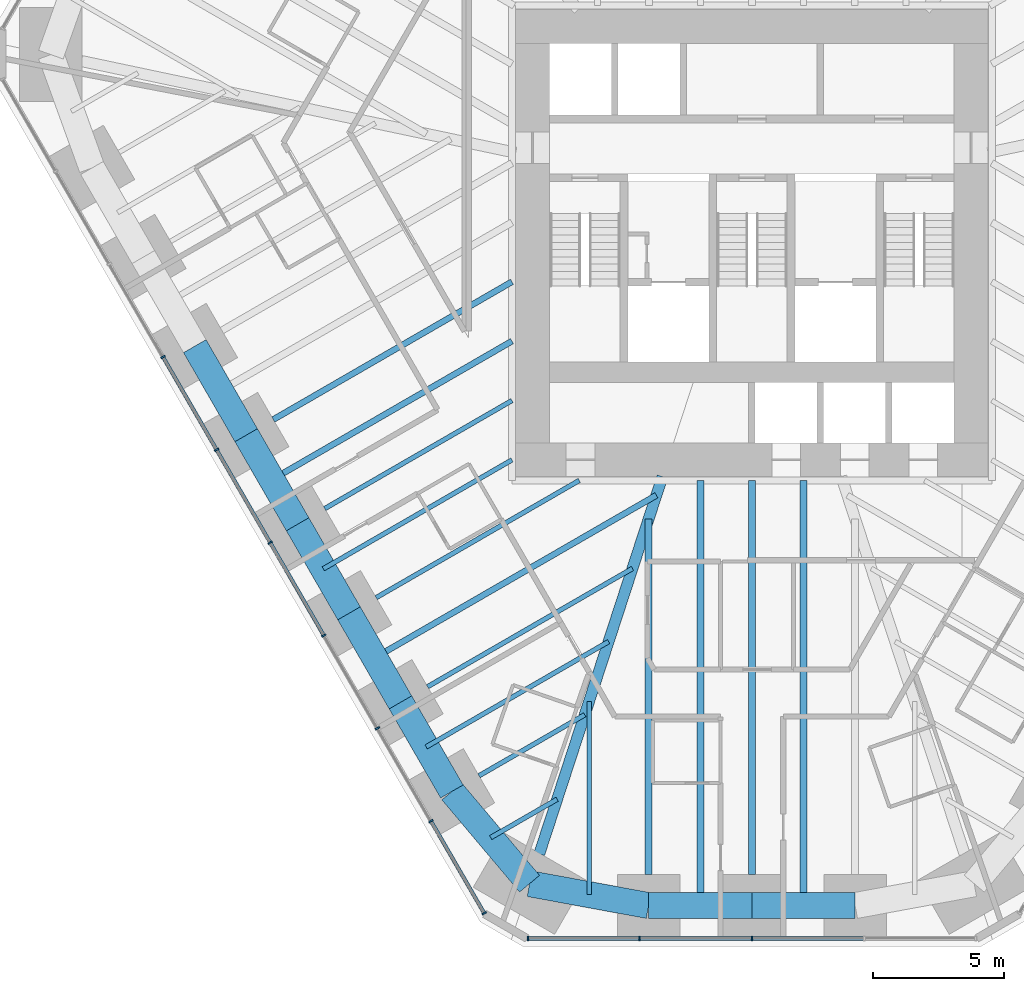
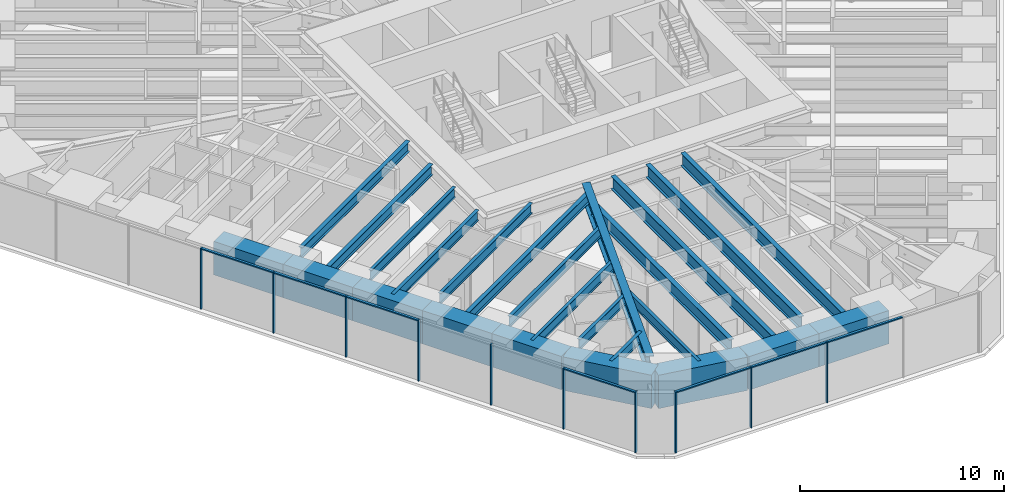
# One storey, part 2 of 17: 25 beams, 17 members, 2 elements without a shape of their own.
"""IFC4 building model written with IfcOpenShell, lengths in metres."""

from ifc_helpers import new_model, si_unit, direction, frame, origin, origin_2d, place, context, subcontext, project, spatial, rectangle, i_section, extrude, material, material_profile, profile_set, type_object, element, aggregate, save


model = new_model("IFC4")

# Units and contexts
model_context = context("Model", 3, precision=1e-05, world=origin(), true_north=direction((0.0, 1.0)))
body_context = subcontext(model_context, "Body", "Model", "MODEL_VIEW")
ifc_project = project(units=[si_unit("LENGTHUNIT", "METRE"), si_unit("AREAUNIT", "SQUARE_METRE"), si_unit("VOLUMEUNIT", "CUBIC_METRE"), si_unit("PLANEANGLEUNIT", "RADIAN"), si_unit("MASSUNIT", "GRAM", prefix="KILO")], contexts=[model_context])

# Site, building, storey
site_placement = place(None, origin())
site = spatial("IfcSite", under=ifc_project, at=site_placement, CompositionType="ELEMENT")
building_placement = place(site_placement, origin())
building = spatial("IfcBuilding", under=site, at=building_placement, Name="Sandreach Pilgrim Tower", CompositionType="ELEMENT")
storey_placement = place(building_placement, frame((0.0, 0.0, 100.60009765625)))
storey = spatial("IfcBuildingStorey", under=building, at=storey_placement, Name="L24", CompositionType="ELEMENT", Elevation=100.60009765625)

# Curtain wall, members
ifc_material_1 = material(Name="Aluminium framed curtain wall", Category="aluminium")
curtain_wall_type = type_object("IfcCurtainWallType", Name="Hotel tower curtain wall", PredefinedType="NOTDEFINED", material=ifc_material_1)
curtain_wall_1_placement = place(storey_placement, origin())
curtain_wall_1 = element("IfcCurtainWall", 1, at=curtain_wall_1_placement, inside=storey, type_object=curtain_wall_type, Name="CW-2 L24 S", PredefinedType="NOTDEFINED")
ifc_material_2 = material(Name="Aluminium extrusion", Category="aluminium")
ifc_material_profile_1 = material_profile(ifc_material_2, rectangle(XDim=0.06494140625, YDim=0.179931640625, at=origin_2d()), Name="CW-2M 65X180")
ifc_profile_set_1 = profile_set([ifc_material_profile_1], Name="Aluminium extrusion")
member_type_1 = type_object("IfcMemberType", Name="CW-2 mullion", PredefinedType="MULLION", material=ifc_profile_set_1)
member_1_placement = place(storey_placement, frame((0.0, -28.192138671875, 0.0), z_axis=(0.0, 0.0, 1.0), x_axis=(-1.0, 0.0, 0.0)))
member_1 = element("IfcMember", 2, at=member_1_placement, type_object=member_type_1, Name="CW-2 mullion 3", PredefinedType="MULLION", context=body_context, shape_type="SweptSolid", body=[
    extrude(rectangle(XDim=0.06494140625, YDim=0.179931640625, at=origin_2d()), origin(), (0.0, 0.0, 1.0), 3.639892578125),
])
member_2_placement = place(storey_placement, frame((-4.3056640625, -28.192138671875, 0.0), z_axis=(0.0, 0.0, 1.0), x_axis=(-1.0, 0.0, 0.0)))
member_2 = element("IfcMember", 3, at=member_2_placement, type_object=member_type_1, Name="CW-2 mullion 4", PredefinedType="MULLION", context=body_context, shape_type="SweptSolid", body=[
    extrude(rectangle(XDim=0.06494140625, YDim=0.179931640625, at=origin_2d()), origin(), (0.0, 0.0, 1.0), 3.639892578125),
])
member_3_placement = place(storey_placement, frame((-8.578857421875, -28.192138671875, 0.0), z_axis=(0.0, 0.0, 1.0), x_axis=(-1.0, 0.0, 0.0)))
member_3 = element("IfcMember", 4, at=member_3_placement, type_object=member_type_1, Name="CW-2 mullion 5", PredefinedType="MULLION", context=body_context, shape_type="SweptSolid", body=[
    extrude(rectangle(XDim=0.06494140625, YDim=0.179931640625, at=origin_2d()), origin(), (0.0, 0.0, 1.0), 3.639892578125),
])

curtain_wall_2_placement = place(storey_placement, origin())
curtain_wall_2 = element("IfcCurtainWall", 5, at=curtain_wall_2_placement, inside=storey, type_object=curtain_wall_type, Name="CW-2 L24 SW", PredefinedType="NOTDEFINED")
member_4_placement = place(storey_placement, frame((-10.255859375, -27.22412109375, 0.0), z_axis=(0.0, 0.0, 1.0), x_axis=(-0.5, 0.866025403784, 0.0)))
member_4 = element("IfcMember", 6, at=member_4_placement, type_object=member_type_1, Name="CW-2 mullion 1", PredefinedType="MULLION", context=body_context, shape_type="SweptSolid", body=[
    extrude(rectangle(XDim=0.06494140625, YDim=0.179931640625, at=origin_2d()), origin(), (0.0, 0.0, 1.0), 3.639892578125),
])
member_5_placement = place(storey_placement, frame((-12.29296875, -23.695556640625, 0.0), z_axis=(0.0, 0.0, 1.0), x_axis=(-0.5, 0.866025403784, 0.0)))
member_5 = element("IfcMember", 7, at=member_5_placement, type_object=member_type_1, Name="CW-2 mullion 2", PredefinedType="MULLION", context=body_context, shape_type="SweptSolid", body=[
    extrude(rectangle(XDim=0.06494140625, YDim=0.179931640625, at=origin_2d()), origin(), (0.0, 0.0, 1.0), 3.639892578125),
])
member_6_placement = place(storey_placement, frame((-14.346435546875, -20.138671875, 0.0), z_axis=(0.0, 0.0, 1.0), x_axis=(-0.5, 0.866025403784, 0.0)))
member_6 = element("IfcMember", 8, at=member_6_placement, type_object=member_type_1, Name="CW-2 mullion 3", PredefinedType="MULLION", context=body_context, shape_type="SweptSolid", body=[
    extrude(rectangle(XDim=0.06494140625, YDim=0.179931640625, at=origin_2d()), origin(), (0.0, 0.0, 1.0), 3.639892578125),
])
member_7_placement = place(storey_placement, frame((-16.39990234375, -16.58203125, 0.0), z_axis=(0.0, 0.0, 1.0), x_axis=(-0.5, 0.866025403784, 0.0)))
member_7 = element("IfcMember", 9, at=member_7_placement, type_object=member_type_1, Name="CW-2 mullion 4", PredefinedType="MULLION", context=body_context, shape_type="SweptSolid", body=[
    extrude(rectangle(XDim=0.06494140625, YDim=0.179931640625, at=origin_2d()), origin(), (0.0, 0.0, 1.0), 3.639892578125),
])
member_8_placement = place(storey_placement, frame((-18.453369140625, -13.025146484375, 0.0), z_axis=(0.0, 0.0, 1.0), x_axis=(-0.5, 0.866025403784, 0.0)))
member_8 = element("IfcMember", 10, at=member_8_placement, type_object=member_type_1, Name="CW-2 mullion 5", PredefinedType="MULLION", context=body_context, shape_type="SweptSolid", body=[
    extrude(rectangle(XDim=0.06494140625, YDim=0.179931640625, at=origin_2d()), origin(), (0.0, 0.0, 1.0), 3.639892578125),
])
member_9_placement = place(storey_placement, frame((-20.5068359375, -9.468505859375, 0.0), z_axis=(0.0, 0.0, 1.0), x_axis=(-0.5, 0.866025403784, 0.0)))
member_9 = element("IfcMember", 11, at=member_9_placement, type_object=member_type_1, Name="CW-2 mullion 6", PredefinedType="MULLION", context=body_context, shape_type="SweptSolid", body=[
    extrude(rectangle(XDim=0.06494140625, YDim=0.179931640625, at=origin_2d()), origin(), (0.0, 0.0, 1.0), 3.639892578125),
])
member_10_placement = place(storey_placement, frame((-22.560302734375, -5.911865234375, 0.0), z_axis=(0.0, 0.0, 1.0), x_axis=(-0.5, 0.866025403784, 0.0)))
member_10 = element("IfcMember", 12, at=member_10_placement, type_object=member_type_1, Name="CW-2 mullion 7", PredefinedType="MULLION", context=body_context, shape_type="SweptSolid", body=[
    extrude(rectangle(XDim=0.06494140625, YDim=0.179931640625, at=origin_2d()), origin(), (0.0, 0.0, 1.0), 3.639892578125),
])

# Member
ifc_material_3 = material(Name="Aluminium extrusion", Category="aluminium")
ifc_material_profile_2 = material_profile(ifc_material_3, rectangle(XDim=0.139892578125, YDim=0.070068359375, at=origin_2d()), Name="CW-2T 140X70")
ifc_profile_set_2 = profile_set([ifc_material_profile_2], Name="Aluminium extrusion")
member_type_2 = type_object("IfcMemberType", Name="CW-2 transom", PredefinedType="USERDEFINED", material=ifc_profile_set_2)
member_11_placement = place(storey_placement, frame((4.273193359375, -28.192138671875, 3.60498046875), z_axis=(-1.0, 0.0, 0.0), x_axis=(0.0, -1.0, 0.0)))
member_11 = element("IfcMember", 13, at=member_11_placement, type_object=member_type_2, Name="CW-2 head transom 2", ObjectType="TRANSOM", PredefinedType="USERDEFINED", context=body_context, shape_type="SweptSolid", body=[
    extrude(rectangle(XDim=0.139892578125, YDim=0.070068359375, at=origin_2d()), origin(), (0.0, 0.0, 1.0), 4.24072265625),
])

member_12_placement = place(storey_placement, frame((-0.032470703125, -28.192138671875, 3.60498046875), z_axis=(-1.0, 0.0, 0.0), x_axis=(0.0, -1.0, 0.0)))
member_12 = element("IfcMember", 14, at=member_12_placement, type_object=member_type_2, Name="CW-2 head transom 3", ObjectType="TRANSOM", PredefinedType="USERDEFINED", context=body_context, shape_type="SweptSolid", body=[
    extrude(rectangle(XDim=0.139892578125, YDim=0.070068359375, at=origin_2d()), origin(), (0.0, 0.0, 1.0), 4.24072265625),
])

member_13_placement = place(storey_placement, frame((-4.338134765625, -28.192138671875, 3.60498046875), z_axis=(-1.0, 0.0, 0.0), x_axis=(0.0, -1.0, 0.0)))
member_13 = element("IfcMember", 15, at=member_13_placement, type_object=member_type_2, Name="CW-2 head transom 4", ObjectType="TRANSOM", PredefinedType="USERDEFINED", context=body_context, shape_type="SweptSolid", body=[
    extrude(rectangle(XDim=0.139892578125, YDim=0.070068359375, at=origin_2d()), origin(), (0.0, 0.0, 1.0), 4.208251953125),
])

aggregate(curtain_wall_1, [member_1, member_2, member_3, member_11, member_12, member_13])

member_14_placement = place(storey_placement, frame((-10.27197265625, -27.196044921875, 3.60498046875), z_axis=(-0.500015851672, 0.866016251624, 0.0), x_axis=(-0.866016251624, -0.500015851672, 0.0)))
member_14 = element("IfcMember", 16, at=member_14_placement, type_object=member_type_2, Name="CW-2 head transom 1", ObjectType="TRANSOM", PredefinedType="USERDEFINED", context=body_context, shape_type="SweptSolid", body=[
    extrude(rectangle(XDim=0.139892578125, YDim=0.070068359375, at=origin_2d()), origin(), (0.0, 0.0, 1.0), 4.009521484375),
])

member_15_placement = place(storey_placement, frame((-16.416259765625, -16.553955078125, 3.60498046875), z_axis=(-0.499997818338, 0.866026663364, 0.0), x_axis=(-0.866026663364, -0.499997818338, 0.0)))
member_15 = element("IfcMember", 17, at=member_15_placement, type_object=member_type_2, Name="CW-2 head transom 4", ObjectType="TRANSOM", PredefinedType="USERDEFINED", context=body_context, shape_type="SweptSolid", body=[
    extrude(rectangle(XDim=0.139892578125, YDim=0.070068359375, at=origin_2d()), origin(), (0.0, 0.0, 1.0), 4.0419921875),
])

member_16_placement = place(storey_placement, frame((-18.4697265625, -12.9970703125, 3.60498046875), z_axis=(-0.499997818338, 0.866026663364, 0.0), x_axis=(-0.866026663364, -0.499997818338, 0.0)))
member_16 = element("IfcMember", 18, at=member_16_placement, type_object=member_type_2, Name="CW-2 head transom 5", ObjectType="TRANSOM", PredefinedType="USERDEFINED", context=body_context, shape_type="SweptSolid", body=[
    extrude(rectangle(XDim=0.139892578125, YDim=0.070068359375, at=origin_2d()), origin(), (0.0, 0.0, 1.0), 4.0419921875),
])

member_17_placement = place(storey_placement, frame((-20.523193359375, -9.4404296875, 3.60498046875), z_axis=(-0.499997818338, 0.866026663364, 0.0), x_axis=(-0.866026663364, -0.499997818338, 0.0)))
member_17 = element("IfcMember", 19, at=member_17_placement, type_object=member_type_2, Name="CW-2 head transom 6", ObjectType="TRANSOM", PredefinedType="USERDEFINED", context=body_context, shape_type="SweptSolid", body=[
    extrude(rectangle(XDim=0.139892578125, YDim=0.070068359375, at=origin_2d()), origin(), (0.0, 0.0, 1.0), 4.0419921875),
])

aggregate(curtain_wall_2, [member_4, member_5, member_6, member_7, member_8, member_9, member_10, member_14, member_15, member_16, member_17])

# Beams
ifc_material_4 = material(Name="Steel ASTM A992 Grade 50", Category="steel")
ifc_material_profile_3 = material_profile(ifc_material_4, i_section(OverallWidth=0.421630859375, OverallDepth=0.937255859375, WebThickness=0.0224609375, FlangeThickness=0.039794921875, at=origin_2d()), Name="W36X282")
ifc_profile_set_3 = profile_set([ifc_material_profile_3], Name="Steel ASTM A992 Grade 50")
beam_type_1 = type_object("IfcBeamType", Name="Corner girder W36X282", PredefinedType="BEAM", material=ifc_profile_set_3)
beam_1_placement = place(storey_placement, frame((-8.1455078125, -24.95361328125, 3.17138671875), z_axis=(0.310310868465, 0.950635137638, 0.0), x_axis=(-0.950635137638, 0.310310868465, 0.0)))
element("IfcBeam", 20, at=beam_1_placement, inside=storey, type_object=beam_type_1, Name="BM L24 CG26", PredefinedType="BEAM", context=body_context, shape_type="SweptSolid", body=[
    extrude(i_section(OverallWidth=0.421630859375, OverallDepth=0.937255859375, WebThickness=0.0224609375, FlangeThickness=0.039794921875, at=origin_2d()), origin(), (0.0, 0.0, 1.0), 15.2041015625),
])
ifc_material_5 = material(Name="Steel ASTM A992 Grade 50", Category="steel")
ifc_material_profile_4 = material_profile(ifc_material_5, i_section(OverallWidth=0.1787109375, OverallDepth=0.60205078125, WebThickness=0.010986328125, FlangeThickness=0.014892578125, at=origin_2d()), Name="W24X62")
ifc_profile_set_4 = profile_set([ifc_material_profile_4], Name="Steel ASTM A992 Grade 50")
beam_type_2 = type_object("IfcBeamType", Name="Floor beam W24X62", PredefinedType="BEAM", material=ifc_profile_set_4)
beam_2_placement = place(storey_placement, frame((-10.454833984375, -21.959228515625, 3.3388671875), z_axis=(0.866017799667, 0.500013170487, 0.0), x_axis=(-0.500013170487, 0.866017799667, 0.0)))
element("IfcBeam", 21, at=beam_2_placement, inside=storey, type_object=beam_type_2, Name="BM L24 F27", PredefinedType="BEAM", context=body_context, shape_type="SweptSolid", body=[
    extrude(i_section(OverallWidth=0.1787109375, OverallDepth=0.60205078125, WebThickness=0.010986328125, FlangeThickness=0.014892578125, at=origin_2d()), origin(), (0.0, 0.0, 1.0), 4.676513671875),
])
beam_3_placement = place(storey_placement, frame((-12.4248046875, -18.547119140625, 3.3388671875), z_axis=(0.866020076177, 0.500009227573, 0.0), x_axis=(-0.500009227573, 0.866020076177, 0.0)))
element("IfcBeam", 22, at=beam_3_placement, inside=storey, type_object=beam_type_2, Name="BM L24 F28", PredefinedType="BEAM", context=body_context, shape_type="SweptSolid", body=[
    extrude(i_section(OverallWidth=0.1787109375, OverallDepth=0.60205078125, WebThickness=0.010986328125, FlangeThickness=0.014892578125, at=origin_2d()), origin(), (0.0, 0.0, 1.0), 9.064208984375),
])
beam_4_placement = place(storey_placement, frame((-14.394775390625, -15.135009765625, 3.3388671875), z_axis=(0.866023564181, 0.500003186274, 0.0), x_axis=(-0.500003186274, 0.866023564181, 0.0)))
element("IfcBeam", 23, at=beam_4_placement, inside=storey, type_object=beam_type_2, Name="BM L24 F29", PredefinedType="BEAM", context=body_context, shape_type="SweptSolid", body=[
    extrude(i_section(OverallWidth=0.1787109375, OverallDepth=0.60205078125, WebThickness=0.010986328125, FlangeThickness=0.014892578125, at=origin_2d()), origin(), (0.0, 0.0, 1.0), 8.9833984375),
])
beam_5_placement = place(storey_placement, frame((-16.36474609375, -11.722900390625, 3.3388671875), z_axis=(0.866026511998, 0.499998080513, 0.0), x_axis=(-0.499998080513, 0.866026511998, 0.0)))
element("IfcBeam", 24, at=beam_5_placement, inside=storey, type_object=beam_type_2, Name="BM L24 F30", PredefinedType="BEAM", context=body_context, shape_type="SweptSolid", body=[
    extrude(i_section(OverallWidth=0.1787109375, OverallDepth=0.60205078125, WebThickness=0.010986328125, FlangeThickness=0.014892578125, at=origin_2d()), origin(), (0.0, 0.0, 1.0), 8.28076171875),
])
beam_6_placement = place(storey_placement, frame((-6.236572265625, -26.51318359375, 3.3388671875), z_axis=(0.0, 1.0, 0.0), x_axis=(-1.0, 0.0, 0.0)))
element("IfcBeam", 25, at=beam_6_placement, inside=storey, type_object=beam_type_2, Name="BM L24 FM25", PredefinedType="BEAM", context=body_context, shape_type="SweptSolid", body=[
    extrude(i_section(OverallWidth=0.1787109375, OverallDepth=0.60205078125, WebThickness=0.010986328125, FlangeThickness=0.014892578125, at=origin_2d()), origin(), (0.0, 0.0, 1.0), 7.40771484375),
])
beam_7_placement = place(storey_placement, frame((-10.006103515625, -24.326904296875, 3.3388671875), z_axis=(0.866015396618, 0.500017332519, 0.0), x_axis=(-0.500017332519, 0.866015396618, 0.0)))
element("IfcBeam", 26, at=beam_7_placement, inside=storey, type_object=beam_type_2, Name="BM L24 FM26", PredefinedType="BEAM", context=body_context, shape_type="SweptSolid", body=[
    extrude(i_section(OverallWidth=0.1787109375, OverallDepth=0.60205078125, WebThickness=0.010986328125, FlangeThickness=0.014892578125, at=origin_2d()), origin(), (0.0, 0.0, 1.0), 2.9384765625),
])
beam_8_placement = place(storey_placement, frame((-12.47900390625, -20.853271484375, 3.3388671875), z_axis=(0.866017328257, 0.500013986963, 0.0), x_axis=(-0.500013986963, 0.866017328257, 0.0)))
element("IfcBeam", 27, at=beam_8_placement, inside=storey, type_object=beam_type_2, Name="BM L24 FM27", PredefinedType="BEAM", context=body_context, shape_type="SweptSolid", body=[
    extrude(i_section(OverallWidth=0.1787109375, OverallDepth=0.60205078125, WebThickness=0.010986328125, FlangeThickness=0.014892578125, at=origin_2d()), origin(), (0.0, 0.0, 1.0), 8.070556640625),
])
beam_9_placement = place(storey_placement, frame((-16.4189453125, -14.029052734375, 3.3388671875), z_axis=(0.866016009309, 0.500016271356, 0.0), x_axis=(-0.500016271356, 0.866016009309, 0.0)))
element("IfcBeam", 28, at=beam_9_placement, inside=storey, type_object=beam_type_2, Name="BM L24 FM29", PredefinedType="BEAM", context=body_context, shape_type="SweptSolid", body=[
    extrude(i_section(OverallWidth=0.1787109375, OverallDepth=0.60205078125, WebThickness=0.010986328125, FlangeThickness=0.014892578125, at=origin_2d()), origin(), (0.0, 0.0, 1.0), 8.343505859375),
])
ifc_material_6 = material(Name="Steel ASTM A992 Grade 50", Category="steel")
ifc_material_profile_5 = material_profile(ifc_material_6, i_section(OverallWidth=0.23046875, OverallDepth=0.6171875, WebThickness=0.01318359375, FlangeThickness=0.022216796875, at=origin_2d()), Name="W24X94")
ifc_profile_set_5 = profile_set([ifc_material_profile_5], Name="Steel ASTM A992 Grade 50")
beam_type_3 = type_object("IfcBeamType", Name="Floor beam W24X94", PredefinedType="BEAM", material=ifc_profile_set_5)
beam_10_placement = place(storey_placement, frame((-18.334716796875, -8.310791015625, 3.331298828125), z_axis=(0.866022660904, 0.500004750779, 0.0), x_axis=(-0.500004750779, 0.866022660904, 0.0)))
element("IfcBeam", 29, at=beam_10_placement, inside=storey, type_object=beam_type_3, Name="BM L24 F31", PredefinedType="BEAM", context=body_context, shape_type="SweptSolid", body=[
    extrude(i_section(OverallWidth=0.23046875, OverallDepth=0.6171875, WebThickness=0.01318359375, FlangeThickness=0.022216796875, at=origin_2d()), origin(), (0.0, 0.0, 1.0), 10.5556640625),
])
beam_11_placement = place(storey_placement, frame((-14.448974609375, -17.441162109375, 3.331298828125), z_axis=(0.866019150617, 0.500010830648, 0.0), x_axis=(-0.500010830648, 0.866019150617, 0.0)))
element("IfcBeam", 30, at=beam_11_placement, inside=storey, type_object=beam_type_3, Name="BM L24 FM28", PredefinedType="BEAM", context=body_context, shape_type="SweptSolid", body=[
    extrude(i_section(OverallWidth=0.23046875, OverallDepth=0.6171875, WebThickness=0.01318359375, FlangeThickness=0.022216796875, at=origin_2d()), origin(), (0.0, 0.0, 1.0), 12.458251953125),
])
beam_12_placement = place(storey_placement, frame((-18.388916015625, -10.616943359375, 3.331298828125), z_axis=(0.866024387147, 0.500001760863, 0.0), x_axis=(-0.500001760863, 0.866024387147, 0.0)))
element("IfcBeam", 31, at=beam_12_placement, inside=storey, type_object=beam_type_3, Name="BM L24 FM30", PredefinedType="BEAM", context=body_context, shape_type="SweptSolid", body=[
    extrude(i_section(OverallWidth=0.23046875, OverallDepth=0.6171875, WebThickness=0.01318359375, FlangeThickness=0.022216796875, at=origin_2d()), origin(), (0.0, 0.0, 1.0), 10.6181640625),
])
ifc_material_7 = material(Name="Steel ASTM A992 Grade 50", Category="steel")
ifc_material_profile_6 = material_profile(ifc_material_7, i_section(OverallWidth=0.2666015625, OverallDepth=0.761962890625, WebThickness=0.014404296875, FlangeThickness=0.021484375, at=origin_2d()), Name="W30X116")
ifc_profile_set_6 = profile_set([ifc_material_profile_6], Name="Steel ASTM A992 Grade 50")
beam_type_4 = type_object("IfcBeamType", Name="Floor beam W30X116", PredefinedType="BEAM", material=ifc_profile_set_6)
beam_13_placement = place(storey_placement, frame((-3.955322265625, -25.732177734375, 3.2587890625), z_axis=(0.0, 1.0, 0.0), x_axis=(-1.0, 0.0, 0.0)))
element("IfcBeam", 32, at=beam_13_placement, inside=storey, type_object=beam_type_4, Name="BM L24 F25", PredefinedType="BEAM", context=body_context, shape_type="SweptSolid", body=[
    extrude(i_section(OverallWidth=0.2666015625, OverallDepth=0.761962890625, WebThickness=0.014404296875, FlangeThickness=0.021484375, at=origin_2d()), origin(), (0.0, 0.0, 1.0), 13.615478515625),
])
ifc_material_8 = material(Name="Steel ASTM A992 Grade 50", Category="steel")
ifc_material_profile_7 = material_profile(ifc_material_8, i_section(OverallWidth=0.2666015625, OverallDepth=0.77978515625, WebThickness=0.0166015625, FlangeThickness=0.030029296875, at=origin_2d()), Name="W30X148")
ifc_profile_set_7 = profile_set([ifc_material_profile_7], Name="Steel ASTM A992 Grade 50")
beam_type_5 = type_object("IfcBeamType", Name="Floor beam W30X148", PredefinedType="BEAM", material=ifc_profile_set_7)
beam_14_placement = place(storey_placement, frame((0.0, -25.732177734375, 3.25), z_axis=(0.0, 1.0, 0.0), x_axis=(-1.0, 0.0, 0.0)))
element("IfcBeam", 33, at=beam_14_placement, inside=storey, type_object=beam_type_5, Name="BM L24 F24", PredefinedType="BEAM", context=body_context, shape_type="SweptSolid", body=[
    extrude(i_section(OverallWidth=0.2666015625, OverallDepth=0.77978515625, WebThickness=0.0166015625, FlangeThickness=0.030029296875, at=origin_2d()), origin(), (0.0, 0.0, 1.0), 15.0888671875),
])
for number, where, z_axis, x_axis, name in (
    (34, (1.9775390625, -26.93212890625, 3.25), (0.0, 1.0, 0.0), (-1.0, 0.0, 0.0), "BM L24 FM23"),
    (35, (-1.9775390625, -26.93212890625, 3.25), (0.0, 1.0, 0.0), (-1.0, 0.0, 0.0), "BM L24 FM24"),
):
    element("IfcBeam", number, at=place(storey_placement, frame(where, z_axis=z_axis, x_axis=x_axis)), inside=storey, type_object=beam_type_5, Name=name, PredefinedType="BEAM", context=body_context, shape_type="SweptSolid", body=[
        extrude(i_section(OverallWidth=0.2666015625, OverallDepth=0.77978515625, WebThickness=0.0166015625, FlangeThickness=0.030029296875, at=origin_2d()), origin(), (0.0, 0.0, 1.0), 16.288818359375),
    ])
ifc_material_9 = material(Name="Concrete 10000 psi", Category="concrete")
ifc_material_profile_8 = material_profile(ifc_material_9, rectangle(XDim=1.0, YDim=2.0, at=origin_2d()), Name="RC1000X2000")
ifc_profile_set_8 = profile_set([ifc_material_profile_8], Name="Concrete 10000 psi")
beam_type_6 = type_object("IfcBeamType", Name="Spandrel beam RC1000X2000", PredefinedType="SPANDREL", material=ifc_profile_set_8)
for number, where, z_axis, x_axis, name in (
    (36, (3.955322265625, -26.93212890625, 2.639892578125), (-1.0, 0.0, 0.0), (0.0, -1.0, 0.0), "BM L24 SP23"),
    (37, (0.0, -26.93212890625, 2.639892578125), (-1.0, 0.0, 0.0), (0.0, -1.0, 0.0), "BM L24 SP24"),
):
    element("IfcBeam", number, at=place(storey_placement, frame(where, z_axis=z_axis, x_axis=x_axis)), inside=storey, type_object=beam_type_6, Name=name, PredefinedType="SPANDREL", context=body_context, shape_type="SweptSolid", body=[
        extrude(rectangle(XDim=1.0, YDim=2.0, at=origin_2d()), origin(), (0.0, 0.0, 1.0), 3.955322265625),
    ])
beam_15_placement = place(storey_placement, frame((-3.955322265625, -26.93212890625, 2.639892578125), z_axis=(-0.983551746136, 0.180626583516, 0.0), x_axis=(-0.180626583516, -0.983551746136, 0.0)))
element("IfcBeam", 38, at=beam_15_placement, inside=storey, type_object=beam_type_6, Name="BM L24 SP25", PredefinedType="SPANDREL", context=body_context, shape_type="SweptSolid", body=[
    extrude(rectangle(XDim=1.0, YDim=2.0, at=origin_2d()), origin(), (0.0, 0.0, 1.0), 4.638916015625),
])
beam_16_placement = place(storey_placement, frame((-8.517822265625, -26.09423828125, 2.639892578125), z_axis=(-0.644078801547, 0.764959147535, 0.0), x_axis=(-0.764959147535, -0.644078801547, 0.0)))
element("IfcBeam", 39, at=beam_16_placement, inside=storey, type_object=beam_type_6, Name="BM L24 SP26", PredefinedType="SPANDREL", context=body_context, shape_type="SweptSolid", body=[
    extrude(rectangle(XDim=1.0, YDim=2.0, at=origin_2d()), origin(), (0.0, 0.0, 1.0), 4.62109375),
])
for number, where, z_axis, x_axis, name in (
    (40, (-11.494140625, -22.559326171875, 2.639892578125), (-0.49999779889, 0.866026674592, 0.0), (-0.866026674592, -0.49999779889, 0.0), "BM L24 SP27"),
    (41, (-13.464111328125, -19.147216796875, 2.639892578125), (-0.49999779889, 0.866026674592, 0.0), (-0.866026674592, -0.49999779889, 0.0), "BM L24 SP28"),
    (42, (-15.43408203125, -15.735107421875, 2.639892578125), (-0.49999779889, 0.866026674592, 0.0), (-0.866026674592, -0.49999779889, 0.0), "BM L24 SP29"),
    (43, (-17.404052734375, -12.322998046875, 2.639892578125), (-0.49999779889, 0.866026674592, 0.0), (-0.866026674592, -0.49999779889, 0.0), "BM L24 SP30"),
    (44, (-19.3740234375, -8.910888671875, 2.639892578125), (-0.49999779889, 0.866026674592, 0.0), (-0.866026674592, -0.49999779889, 0.0), "BM L24 SP31"),
):
    element("IfcBeam", number, at=place(storey_placement, frame(where, z_axis=z_axis, x_axis=x_axis)), inside=storey, type_object=beam_type_6, Name=name, PredefinedType="SPANDREL", context=body_context, shape_type="SweptSolid", body=[
        extrude(rectangle(XDim=1.0, YDim=2.0, at=origin_2d()), origin(), (0.0, 0.0, 1.0), 3.93994140625),
    ])

save(model, "model.ifc")
